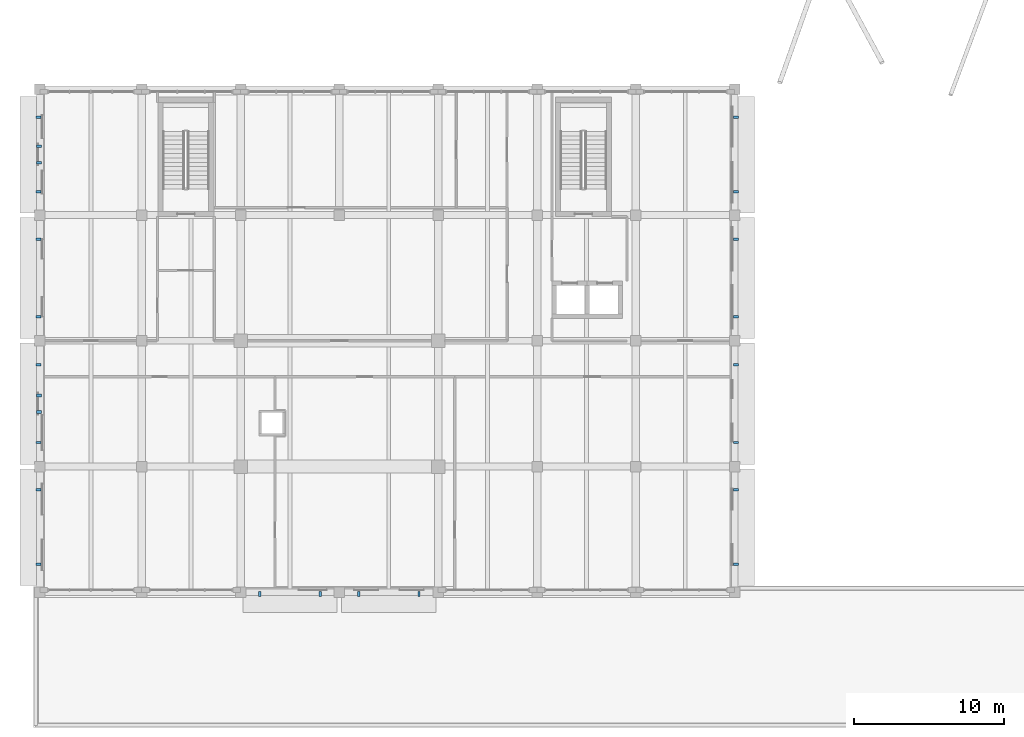
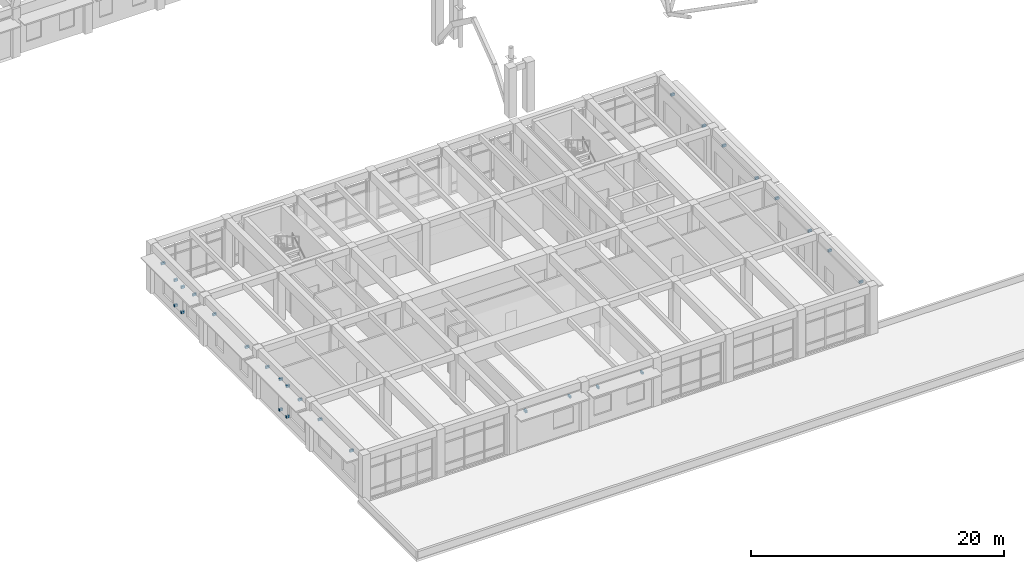
# One storey, part 58 of 75: 28 discrete accessories.
"""IFC4 building model written with IfcOpenShell, lengths in metres."""

from ifc_helpers import new_model, si_unit, direction, frame, origin, origin_2d, place, context, subcontext, project, spatial, rectangle, extrude, material, type_object, element, save


model = new_model("IFC4")

# Units and contexts
model_context = context("Model", 3, precision=1e-05, world=origin(), true_north=direction((0.0, 1.0)))
body_context = subcontext(model_context, "Body", "Model", "MODEL_VIEW")
ifc_project = project(units=[si_unit("LENGTHUNIT", "METRE"), si_unit("AREAUNIT", "SQUARE_METRE"), si_unit("VOLUMEUNIT", "CUBIC_METRE"), si_unit("PLANEANGLEUNIT", "RADIAN"), si_unit("MASSUNIT", "GRAM", prefix="KILO")], contexts=[model_context])

# Site, building, storey
site_placement = place(None, origin())
site = spatial("IfcSite", under=ifc_project, at=site_placement, CompositionType="ELEMENT")
building_placement = place(site_placement, origin())
building = spatial("IfcBuilding", under=site, at=building_placement, Name="Kolvaren Faculty of Natural Sciences", CompositionType="ELEMENT")
storey_placement = place(building_placement, frame((0.0, 0.0, 5.39990234375)))
storey = spatial("IfcBuildingStorey", under=building, at=storey_placement, Name="L01", CompositionType="ELEMENT", Elevation=5.39990234375)

# Discrete accessories
ifc_material = material(Name="Structural steel EN 10025-2 S355J2", Category="steel")
discrete_accessory_type = type_object("IfcDiscreteAccessoryType", Name="FacadeSupportBracket_260", PredefinedType="BRACKET", material=ifc_material)
for number, where, z_axis, x_axis, name in (
    (1, (46.5, 40.32958984375, 3.71533203125), (0.0, 0.0, 1.0), (0.0, -1.0, 0.0), "L01 chhajja hood steel bracket"),
    (2, (46.5, 35.350341796875, 3.71533203125), (0.0, 0.0, 1.0), (0.0, -1.0, 0.0), "L01 chhajja hood steel bracket"),
    (3, (46.5, 32.19189453125, 3.71533203125), (0.0, 0.0, 1.0), (0.0, -1.0, 0.0), "L01 chhajja hood steel bracket"),
    (4, (46.5, 27.008056640625, 3.71533203125), (0.0, 0.0, 1.0), (0.0, -1.0, 0.0), "L01 chhajja hood steel bracket"),
    (5, (46.5, 23.7919921875, 3.71533203125), (0.0, 0.0, 1.0), (0.0, -1.0, 0.0), "L01 chhajja hood steel bracket"),
    (6, (46.5, 18.60791015625, 3.71533203125), (0.0, 0.0, 1.0), (0.0, -1.0, 0.0), "L01 chhajja hood steel bracket"),
    (7, (46.5, 15.44970703125, 3.71533203125), (0.0, 0.0, 1.0), (0.0, -1.0, 0.0), "L01 chhajja hood steel bracket"),
    (8, (46.5, 10.470458984375, 3.71533203125), (0.0, 0.0, 1.0), (0.0, -1.0, 0.0), "L01 chhajja hood steel bracket"),
    (9, (25.31591796875, 8.5, 3.56494140625), (0.0, 0.0, 1.0), (-1.0, 0.0, 0.0), "L01 chhajja hood steel bracket"),
    (10, (21.283935546875, 8.5, 3.56494140625), (0.0, 0.0, 1.0), (-1.0, 0.0, 0.0), "L01 chhajja hood steel bracket"),
    (11, (18.716064453125, 8.5, 3.56494140625), (0.0, 0.0, 1.0), (-1.0, 0.0, 0.0), "L01 chhajja hood steel bracket"),
    (12, (14.68408203125, 8.5, 3.56494140625), (0.0, 0.0, 1.0), (-1.0, 0.0, 0.0), "L01 chhajja hood steel bracket"),
    (13, (-0.10009765625, 10.470458984375, 3.71533203125), (0.0, 0.0, 1.0), (0.0, 1.0, 0.0), "L01 chhajja hood steel bracket"),
    (14, (-0.10009765625, 15.44970703125, 3.71533203125), (0.0, 0.0, 1.0), (0.0, 1.0, 0.0), "L01 chhajja hood steel bracket"),
    (15, (-0.10009765625, 18.60791015625, 3.71533203125), (0.0, 0.0, 1.0), (0.0, 1.0, 0.0), "L01 chhajja hood steel bracket"),
    (16, (-0.10009765625, 23.7919921875, 3.71533203125), (0.0, 0.0, 1.0), (0.0, 1.0, 0.0), "L01 chhajja hood steel bracket"),
):
    element("IfcDiscreteAccessory", number, at=place(storey_placement, frame(where, z_axis=z_axis, x_axis=x_axis)), inside=storey, type_object=discrete_accessory_type, Name=name, PredefinedType="BRACKET", context=body_context, shape_type="SweptSolid", body=[
        extrude(rectangle(XDim=0.159912109375, YDim=0.340087890625, at=origin_2d()), origin(), (0.0, 0.0, 1.0), 0.219970703125),
    ])
for number, where, z_axis, x_axis, name in (
    (17, (-0.06005859375, 20.64892578125, 0.8203125), (0.0, 0.0, 1.0), (0.0, 1.0, 0.0), "L01 jali screen wall bracket"),
    (18, (-0.06005859375, 21.7509765625, 0.8203125), (0.0, 0.0, 1.0), (0.0, 1.0, 0.0), "L01 jali screen wall bracket"),
    (19, (-0.06005859375, 20.64892578125, 3.76025390625), (0.0, 0.0, 1.0), (0.0, 1.0, 0.0), "L01 jali screen wall bracket"),
    (20, (-0.06005859375, 21.7509765625, 3.76025390625), (0.0, 0.0, 1.0), (0.0, 1.0, 0.0), "L01 jali screen wall bracket"),
):
    element("IfcDiscreteAccessory", number, at=place(storey_placement, frame(where, z_axis=z_axis, x_axis=x_axis)), inside=storey, type_object=discrete_accessory_type, Name=name, PredefinedType="BRACKET", context=body_context, shape_type="SweptSolid", body=[
        extrude(rectangle(XDim=0.179931640625, YDim=0.320068359375, at=origin_2d()), origin(), (0.0, 0.0, 1.0), 0.219970703125),
    ])
for number, where, z_axis, x_axis, name in (
    (21, (-0.10009765625, 27.008056640625, 3.71533203125), (0.0, 0.0, 1.0), (0.0, 1.0, 0.0), "L01 chhajja hood steel bracket"),
    (22, (-0.10009765625, 32.19189453125, 3.71533203125), (0.0, 0.0, 1.0), (0.0, 1.0, 0.0), "L01 chhajja hood steel bracket"),
    (23, (-0.10009765625, 35.350341796875, 3.71533203125), (0.0, 0.0, 1.0), (0.0, 1.0, 0.0), "L01 chhajja hood steel bracket"),
    (24, (-0.10009765625, 40.32958984375, 3.71533203125), (0.0, 0.0, 1.0), (0.0, 1.0, 0.0), "L01 chhajja hood steel bracket"),
):
    element("IfcDiscreteAccessory", number, at=place(storey_placement, frame(where, z_axis=z_axis, x_axis=x_axis)), inside=storey, type_object=discrete_accessory_type, Name=name, PredefinedType="BRACKET", context=body_context, shape_type="SweptSolid", body=[
        extrude(rectangle(XDim=0.159912109375, YDim=0.340087890625, at=origin_2d()), origin(), (0.0, 0.0, 1.0), 0.219970703125),
    ])
for number, where, z_axis, x_axis, name in (
    (25, (-0.06005859375, 37.2890625, 0.8203125), (0.0, 0.0, 1.0), (0.0, 1.0, 0.0), "L01 jali screen wall bracket"),
    (26, (-0.06005859375, 38.39111328125, 0.8203125), (0.0, 0.0, 1.0), (0.0, 1.0, 0.0), "L01 jali screen wall bracket"),
    (27, (-0.06005859375, 37.2890625, 3.26025390625), (0.0, 0.0, 1.0), (0.0, 1.0, 0.0), "L01 jali screen wall bracket"),
    (28, (-0.06005859375, 38.39111328125, 3.26025390625), (0.0, 0.0, 1.0), (0.0, 1.0, 0.0), "L01 jali screen wall bracket"),
):
    element("IfcDiscreteAccessory", number, at=place(storey_placement, frame(where, z_axis=z_axis, x_axis=x_axis)), inside=storey, type_object=discrete_accessory_type, Name=name, PredefinedType="BRACKET", context=body_context, shape_type="SweptSolid", body=[
        extrude(rectangle(XDim=0.179931640625, YDim=0.320068359375, at=origin_2d()), origin(), (0.0, 0.0, 1.0), 0.219970703125),
    ])

save(model, "model.ifc")
